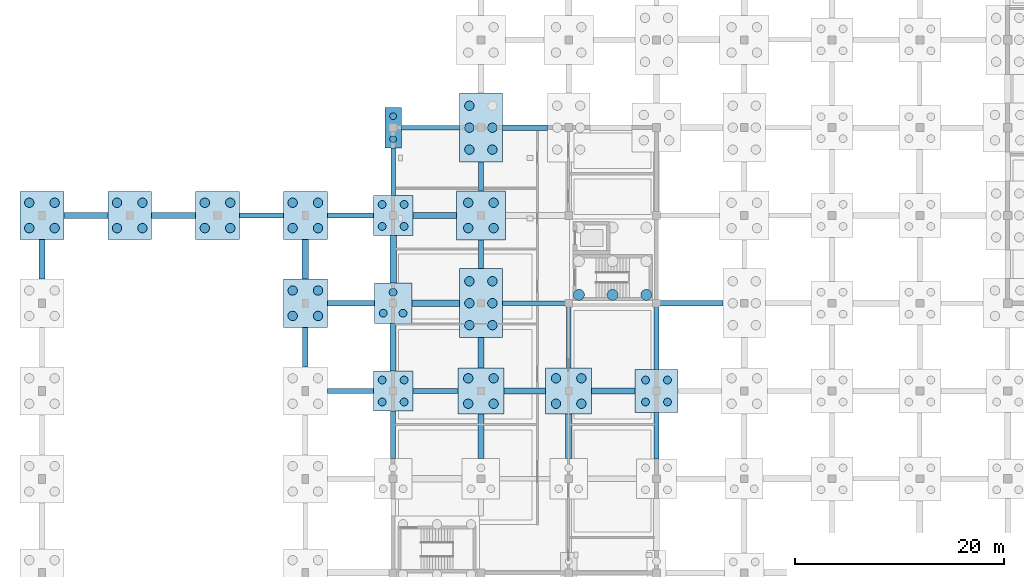
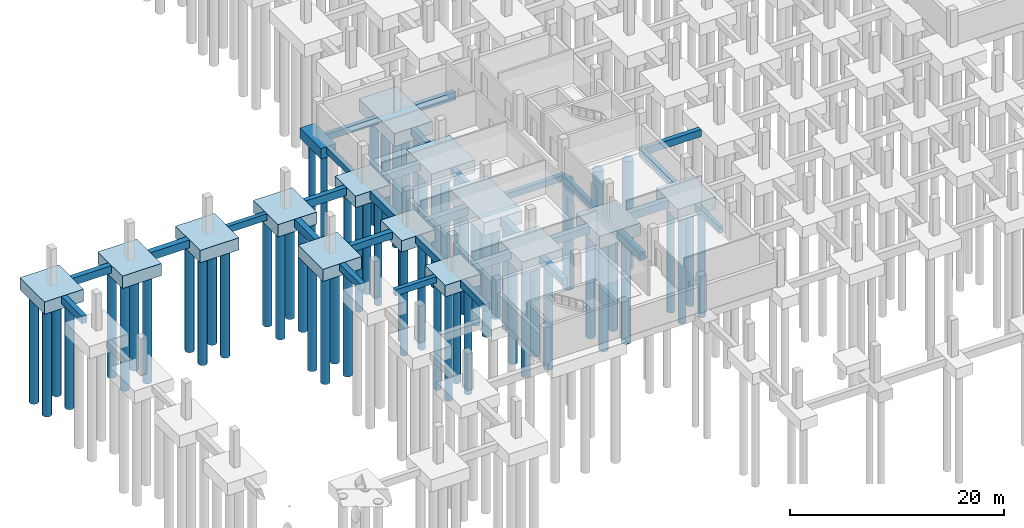
# One storey, part 2 of 20: 63 piles, 45 footings.
"""IFC4 building model written with IfcOpenShell, lengths in metres."""

from ifc_helpers import new_model, si_unit, direction, frame, origin, origin_2d, place, context, subcontext, project, spatial, rectangle, circle, extrude, material, material_profile, profile_set, type_object, element, save


model = new_model("IFC4")

# Units and contexts
model_context = context("Model", 3, precision=1e-05, world=origin(), true_north=direction((0.0, 1.0)))
body_context = subcontext(model_context, "Body", "Model", "MODEL_VIEW")
ifc_project = project(units=[si_unit("LENGTHUNIT", "METRE"), si_unit("AREAUNIT", "SQUARE_METRE"), si_unit("VOLUMEUNIT", "CUBIC_METRE"), si_unit("PLANEANGLEUNIT", "RADIAN"), si_unit("MASSUNIT", "GRAM", prefix="KILO")], contexts=[model_context])

# Site, building, storey
site_placement = place(None, origin())
site = spatial("IfcSite", under=ifc_project, at=site_placement, CompositionType="ELEMENT")
building_placement = place(site_placement, origin())
building = spatial("IfcBuilding", under=site, at=building_placement, Name="Vireocrest Preparatory School", CompositionType="ELEMENT")
storey_placement = place(building_placement, frame((0.0, 0.0, -4.199951171875)))
storey = spatial("IfcBuildingStorey", under=building, at=storey_placement, Name="B01", CompositionType="ELEMENT", Elevation=-4.199951171875)

# Piles
ifc_material = material(Name="Concrete 40 MPa", Category="concrete")
ifc_material_profile_1 = material_profile(ifc_material, circle(Radius=0.52490234375, at=origin_2d()), Name="BORED PILE 1050")
ifc_profile_set_1 = profile_set([ifc_material_profile_1], Name="Concrete 40 MPa")
pile_type_1 = type_object("IfcPileType", Name="Bored Concrete Pile 1050", PredefinedType="BORED", material=ifc_profile_set_1)
for number, where, z_axis, x_axis, name in (
    (1, (51.375, 44.60009765625, -1.400146484375), (0.0, 0.0, -1.0), (1.0, 0.0, 0.0), "Bored Pile P04 Core K1-1"),
    (2, (54.60009765625, 44.60009765625, -1.400146484375), (0.0, 0.0, -1.0), (1.0, 0.0, 0.0), "Bored Pile P04 Core K1-4"),
    (3, (57.824951171875, 44.60009765625, -1.400146484375), (0.0, 0.0, -1.0), (1.0, 0.0, 0.0), "Bored Pile P04 Core K1-7"),
):
    element("IfcPile", number, at=place(storey_placement, frame(where, z_axis=z_axis, x_axis=x_axis)), inside=storey, type_object=pile_type_1, Name=name, PredefinedType="BORED", context=body_context, shape_type="SweptSolid", body=[
        extrude(circle(Radius=0.52490234375, at=origin_2d()), origin(), (0.0, 0.0, 1.0), 12.39990234375),
    ])
ifc_material_profile_2 = material_profile(ifc_material, circle(Radius=0.324951171875, at=origin_2d()), Name="BORED PILE 650")
ifc_profile_set_2 = profile_set([ifc_material_profile_2], Name="Concrete 40 MPa")
pile_type_2 = type_object("IfcPileType", Name="Bored Concrete Pile 650", PredefinedType="BORED", material=ifc_profile_set_2)
for number, where, z_axis, x_axis, name in (
    (4, (33.60009765625, 59.5, -1.10009765625), (0.0, 0.0, -1.0), (1.0, 0.0, 0.0), "Bored Pile P01 021-1"),
    (5, (33.60009765625, 61.699951171875, -1.10009765625), (0.0, 0.0, -1.0), (1.0, 0.0, 0.0), "Bored Pile P01 021-2"),
):
    element("IfcPile", number, at=place(storey_placement, frame(where, z_axis=z_axis, x_axis=x_axis)), inside=storey, type_object=pile_type_2, Name=name, PredefinedType="BORED", context=body_context, shape_type="SweptSolid", body=[
        extrude(circle(Radius=0.324951171875, at=origin_2d()), origin(), (0.0, 0.0, 1.0), 12.699951171875),
    ])
ifc_material_profile_3 = material_profile(ifc_material, circle(Radius=0.375, at=origin_2d()), Name="BORED PILE 750")
ifc_profile_set_3 = profile_set([ifc_material_profile_3], Name="Concrete 40 MPa")
pile_type_3 = type_object("IfcPileType", Name="Bored Concrete Pile 750", PredefinedType="BORED", material=ifc_profile_set_3)
for number, where, z_axis, x_axis, name in (
    (6, (32.550048828125, 34.35009765625, -1.199951171875), (0.0, 0.0, -1.0), (1.0, 0.0, 0.0), "Bored Pile P02 018-1"),
    (7, (34.64990234375, 34.35009765625, -1.199951171875), (0.0, 0.0, -1.0), (1.0, 0.0, 0.0), "Bored Pile P02 018-2"),
    (8, (32.550048828125, 36.449951171875, -1.199951171875), (0.0, 0.0, -1.0), (1.0, 0.0, 0.0), "Bored Pile P02 018-3"),
    (9, (34.64990234375, 36.449951171875, -1.199951171875), (0.0, 0.0, -1.0), (1.0, 0.0, 0.0), "Bored Pile P02 018-4"),
    (10, (32.64990234375, 42.85009765625, -1.199951171875), (0.0, 0.0, -1.0), (1.0, 0.0, 0.0), "Bored Pile P02 019-1"),
    (11, (34.550048828125, 42.85009765625, -1.199951171875), (0.0, 0.0, -1.0), (1.0, 0.0, 0.0), "Bored Pile P02 019-2"),
    (12, (33.60009765625, 44.85009765625, -1.199951171875), (0.0, 0.0, -1.0), (1.0, 0.0, 0.0), "Bored Pile P02 019-3"),
    (13, (32.550048828125, 51.14990234375, -1.199951171875), (0.0, 0.0, -1.0), (1.0, 0.0, 0.0), "Bored Pile P02 020-1"),
    (14, (34.64990234375, 51.14990234375, -1.199951171875), (0.0, 0.0, -1.0), (1.0, 0.0, 0.0), "Bored Pile P02 020-2"),
    (15, (32.550048828125, 53.25, -1.199951171875), (0.0, 0.0, -1.0), (1.0, 0.0, 0.0), "Bored Pile P02 020-3"),
    (16, (34.64990234375, 53.25, -1.199951171875), (0.0, 0.0, -1.0), (1.0, 0.0, 0.0), "Bored Pile P02 020-4"),
):
    element("IfcPile", number, at=place(storey_placement, frame(where, z_axis=z_axis, x_axis=x_axis)), inside=storey, type_object=pile_type_3, Name=name, PredefinedType="BORED", context=body_context, shape_type="SweptSolid", body=[
        extrude(circle(Radius=0.375, at=origin_2d()), origin(), (0.0, 0.0, 1.0), 12.60009765625),
    ])
for number, where, z_axis, x_axis, name in (
    (17, (57.75, 34.35009765625, -1.25), (0.0, 0.0, -1.0), (1.0, 0.0, 0.0), "Bored Pile P02 051-1"),
    (18, (59.85009765625, 34.35009765625, -1.25), (0.0, 0.0, -1.0), (1.0, 0.0, 0.0), "Bored Pile P02 051-2"),
    (19, (57.75, 36.449951171875, -1.25), (0.0, 0.0, -1.0), (1.0, 0.0, 0.0), "Bored Pile P02 051-3"),
    (20, (59.85009765625, 36.449951171875, -1.25), (0.0, 0.0, -1.0), (1.0, 0.0, 0.0), "Bored Pile P02 051-4"),
):
    element("IfcPile", number, at=place(storey_placement, frame(where, z_axis=z_axis, x_axis=x_axis)), inside=storey, type_object=pile_type_3, Name=name, PredefinedType="BORED", context=body_context, shape_type="SweptSolid", body=[
        extrude(circle(Radius=0.375, at=origin_2d()), origin(), (0.0, 0.0, 1.0), 12.550048828125),
    ])
ifc_material_profile_4 = material_profile(ifc_material, circle(Radius=0.449951171875, at=origin_2d()), Name="BORED PILE 900")
ifc_profile_set_4 = profile_set([ifc_material_profile_4], Name="Concrete 40 MPa")
pile_type_4 = type_object("IfcPileType", Name="Bored Concrete Pile 900", PredefinedType="BORED", material=ifc_profile_set_4)
for number, where, z_axis, x_axis, name in (
    (21, (-1.215087890625, 50.985107421875, -1.300048828125), (0.0, 0.0, -1.0), (1.0, 0.0, 0.0), "Bored Pile P03 005-1"),
    (22, (1.215087890625, 50.985107421875, -1.300048828125), (0.0, 0.0, -1.0), (1.0, 0.0, 0.0), "Bored Pile P03 005-2"),
    (23, (-1.215087890625, 53.4150390625, -1.300048828125), (0.0, 0.0, -1.0), (1.0, 0.0, 0.0), "Bored Pile P03 005-3"),
    (24, (1.215087890625, 53.4150390625, -1.300048828125), (0.0, 0.0, -1.0), (1.0, 0.0, 0.0), "Bored Pile P03 005-4"),
    (25, (7.18505859375, 50.985107421875, -1.300048828125), (0.0, 0.0, -1.0), (1.0, 0.0, 0.0), "Bored Pile P03 007-1"),
    (26, (9.614990234375, 50.985107421875, -1.300048828125), (0.0, 0.0, -1.0), (1.0, 0.0, 0.0), "Bored Pile P03 007-2"),
    (27, (7.18505859375, 53.4150390625, -1.300048828125), (0.0, 0.0, -1.0), (1.0, 0.0, 0.0), "Bored Pile P03 007-3"),
    (28, (9.614990234375, 53.4150390625, -1.300048828125), (0.0, 0.0, -1.0), (1.0, 0.0, 0.0), "Bored Pile P03 007-4"),
    (29, (15.5849609375, 50.985107421875, -1.300048828125), (0.0, 0.0, -1.0), (1.0, 0.0, 0.0), "Bored Pile P03 009-1"),
    (30, (18.014892578125, 50.985107421875, -1.300048828125), (0.0, 0.0, -1.0), (1.0, 0.0, 0.0), "Bored Pile P03 009-2"),
    (31, (15.5849609375, 53.4150390625, -1.300048828125), (0.0, 0.0, -1.0), (1.0, 0.0, 0.0), "Bored Pile P03 009-3"),
    (32, (18.014892578125, 53.4150390625, -1.300048828125), (0.0, 0.0, -1.0), (1.0, 0.0, 0.0), "Bored Pile P03 009-4"),
    (33, (23.985107421875, 42.5849609375, -1.300048828125), (0.0, 0.0, -1.0), (1.0, 0.0, 0.0), "Bored Pile P03 014-1"),
    (34, (26.4150390625, 42.5849609375, -1.300048828125), (0.0, 0.0, -1.0), (1.0, 0.0, 0.0), "Bored Pile P03 014-2"),
    (35, (23.985107421875, 45.014892578125, -1.300048828125), (0.0, 0.0, -1.0), (1.0, 0.0, 0.0), "Bored Pile P03 014-3"),
    (36, (26.4150390625, 45.014892578125, -1.300048828125), (0.0, 0.0, -1.0), (1.0, 0.0, 0.0), "Bored Pile P03 014-4"),
    (37, (23.985107421875, 50.985107421875, -1.300048828125), (0.0, 0.0, -1.0), (1.0, 0.0, 0.0), "Bored Pile P03 015-1"),
    (38, (26.4150390625, 50.985107421875, -1.300048828125), (0.0, 0.0, -1.0), (1.0, 0.0, 0.0), "Bored Pile P03 015-2"),
    (39, (23.985107421875, 53.4150390625, -1.300048828125), (0.0, 0.0, -1.0), (1.0, 0.0, 0.0), "Bored Pile P03 015-3"),
    (40, (26.4150390625, 53.4150390625, -1.300048828125), (0.0, 0.0, -1.0), (1.0, 0.0, 0.0), "Bored Pile P03 015-4"),
    (41, (40.784912109375, 34.18505859375, -1.300048828125), (0.0, 0.0, -1.0), (1.0, 0.0, 0.0), "Bored Pile P03 024-1"),
    (42, (43.215087890625, 34.18505859375, -1.300048828125), (0.0, 0.0, -1.0), (1.0, 0.0, 0.0), "Bored Pile P03 024-2"),
    (43, (40.784912109375, 36.614990234375, -1.300048828125), (0.0, 0.0, -1.0), (1.0, 0.0, 0.0), "Bored Pile P03 024-3"),
    (44, (43.215087890625, 36.614990234375, -1.300048828125), (0.0, 0.0, -1.0), (1.0, 0.0, 0.0), "Bored Pile P03 024-4"),
):
    element("IfcPile", number, at=place(storey_placement, frame(where, z_axis=z_axis, x_axis=x_axis)), inside=storey, type_object=pile_type_4, Name=name, PredefinedType="BORED", context=body_context, shape_type="SweptSolid", body=[
        extrude(circle(Radius=0.449951171875, at=origin_2d()), origin(), (0.0, 0.0, 1.0), 12.5),
    ])
for number, where, z_axis, x_axis, name in (
    (45, (40.89990234375, 41.699951171875, -1.35009765625), (0.0, 0.0, -1.0), (1.0, 0.0, 0.0), "Bored Pile P03 025-1"),
    (46, (43.10009765625, 41.699951171875, -1.35009765625), (0.0, 0.0, -1.0), (1.0, 0.0, 0.0), "Bored Pile P03 025-2"),
    (47, (40.89990234375, 43.800048828125, -1.35009765625), (0.0, 0.0, -1.0), (1.0, 0.0, 0.0), "Bored Pile P03 025-3"),
    (48, (43.10009765625, 43.800048828125, -1.35009765625), (0.0, 0.0, -1.0), (1.0, 0.0, 0.0), "Bored Pile P03 025-4"),
    (49, (40.89990234375, 45.89990234375, -1.35009765625), (0.0, 0.0, -1.0), (1.0, 0.0, 0.0), "Bored Pile P03 025-5"),
    (50, (43.10009765625, 45.89990234375, -1.35009765625), (0.0, 0.0, -1.0), (1.0, 0.0, 0.0), "Bored Pile P03 025-6"),
    (51, (40.784912109375, 50.985107421875, -1.35009765625), (0.0, 0.0, -1.0), (1.0, 0.0, 0.0), "Bored Pile P03 026-1"),
    (52, (43.215087890625, 50.985107421875, -1.35009765625), (0.0, 0.0, -1.0), (1.0, 0.0, 0.0), "Bored Pile P03 026-2"),
    (53, (40.784912109375, 53.4150390625, -1.35009765625), (0.0, 0.0, -1.0), (1.0, 0.0, 0.0), "Bored Pile P03 026-3"),
    (54, (43.215087890625, 53.4150390625, -1.35009765625), (0.0, 0.0, -1.0), (1.0, 0.0, 0.0), "Bored Pile P03 026-4"),
    (55, (40.89990234375, 58.5, -1.35009765625), (0.0, 0.0, -1.0), (1.0, 0.0, 0.0), "Bored Pile P03 027-1"),
    (56, (43.10009765625, 58.5, -1.35009765625), (0.0, 0.0, -1.0), (1.0, 0.0, 0.0), "Bored Pile P03 027-2"),
    (57, (40.89990234375, 60.60009765625, -1.35009765625), (0.0, 0.0, -1.0), (1.0, 0.0, 0.0), "Bored Pile P03 027-3"),
    (58, (43.10009765625, 60.60009765625, -1.35009765625), (0.0, 0.0, -1.0), (1.0, 0.0, 0.0), "Bored Pile P03 027-4"),
    (59, (40.89990234375, 62.699951171875, -1.35009765625), (0.0, 0.0, -1.0), (1.0, 0.0, 0.0), "Bored Pile P03 027-5"),
):
    element("IfcPile", number, at=place(storey_placement, frame(where, z_axis=z_axis, x_axis=x_axis)), inside=storey, type_object=pile_type_4, Name=name, PredefinedType="BORED", context=body_context, shape_type="SweptSolid", body=[
        extrude(circle(Radius=0.449951171875, at=origin_2d()), origin(), (0.0, 0.0, 1.0), 12.449951171875),
    ])
for number, where, z_axis, x_axis, name in (
    (60, (49.18505859375, 34.18505859375, -1.300048828125), (0.0, 0.0, -1.0), (1.0, 0.0, 0.0), "Bored Pile P03 038-1"),
    (61, (51.614990234375, 34.18505859375, -1.300048828125), (0.0, 0.0, -1.0), (1.0, 0.0, 0.0), "Bored Pile P03 038-2"),
    (62, (49.18505859375, 36.614990234375, -1.300048828125), (0.0, 0.0, -1.0), (1.0, 0.0, 0.0), "Bored Pile P03 038-3"),
    (63, (51.614990234375, 36.614990234375, -1.300048828125), (0.0, 0.0, -1.0), (1.0, 0.0, 0.0), "Bored Pile P03 038-4"),
):
    element("IfcPile", number, at=place(storey_placement, frame(where, z_axis=z_axis, x_axis=x_axis)), inside=storey, type_object=pile_type_4, Name=name, PredefinedType="BORED", context=body_context, shape_type="SweptSolid", body=[
        extrude(circle(Radius=0.449951171875, at=origin_2d()), origin(), (0.0, 0.0, 1.0), 12.5),
    ])

# Footings
footing_type_1 = type_object("IfcFootingType", Name="Four-Pile Cap 3800x3800x1300", PredefinedType="PILE_CAP", material=ifc_material)
for number, where, z_axis, x_axis, name in (
    (64, (33.60009765625, 35.39990234375, -1.30029296875), (0.0, 0.0, 1.0), (1.0, 0.0, 0.0), "Pile Cap PC05 at (33.6, 35.4)"),
    (65, (33.60009765625, 52.199951171875, -1.30029296875), (0.0, 0.0, 1.0), (1.0, 0.0, 0.0), "Pile Cap PC05 at (33.6, 52.2)"),
):
    element("IfcFooting", number, at=place(storey_placement, frame(where, z_axis=z_axis, x_axis=x_axis)), inside=storey, type_object=footing_type_1, Name=name, PredefinedType="PILE_CAP", context=body_context, shape_type="SweptSolid", body=[
        extrude(rectangle(XDim=3.800048828125, YDim=3.800048828125, at=origin_2d()), origin(), (0.0, 0.0, 1.0), 1.300048828125),
    ])
footing_type_2 = type_object("IfcFootingType", Name="Four-Pile Cap 4100x4100x1350", PredefinedType="PILE_CAP", material=ifc_material)
footing_1_placement = place(storey_placement, frame((58.800048828125, 35.39990234375, -1.35009765625), z_axis=(0.0, 0.0, 1.0), x_axis=(1.0, 0.0, 0.0)))
element("IfcFooting", 66, at=footing_1_placement, inside=storey, type_object=footing_type_2, Name="Pile Cap PC06 at (58.8, 35.4)", PredefinedType="PILE_CAP", context=body_context, shape_type="SweptSolid", body=[
    extrude(rectangle(XDim=4.10009765625, YDim=4.10009765625, at=origin_2d()), origin(), (0.0, 0.0, 1.0), 1.35009765625),
])
footing_type_3 = type_object("IfcFootingType", Name="Four-Pile Cap 4400x4400x1400", PredefinedType="PILE_CAP", material=ifc_material)
for number, where, z_axis, x_axis, name in (
    (67, (42.0, 35.39990234375, -1.39990234375), (0.0, 0.0, 1.0), (1.0, 0.0, 0.0), "Pile Cap PC07 at (42.0, 35.4)"),
    (68, (50.39990234375, 35.39990234375, -1.39990234375), (0.0, 0.0, 1.0), (1.0, 0.0, 0.0), "Pile Cap PC07 at (50.4, 35.4)"),
):
    element("IfcFooting", number, at=place(storey_placement, frame(where, z_axis=z_axis, x_axis=x_axis)), inside=storey, type_object=footing_type_3, Name=name, PredefinedType="PILE_CAP", context=body_context, shape_type="SweptSolid", body=[
        extrude(rectangle(XDim=4.39990234375, YDim=4.39990234375, at=origin_2d()), origin(), (0.0, 0.0, 1.0), 1.39990234375),
    ])
footing_type_4 = type_object("IfcFootingType", Name="Four-Pile Cap 4700x4700x1450", PredefinedType="PILE_CAP", material=ifc_material)
footing_2_placement = place(storey_placement, frame((42.0, 52.199951171875, -1.4501953125), z_axis=(0.0, 0.0, 1.0), x_axis=(1.0, 0.0, 0.0)))
element("IfcFooting", 69, at=footing_2_placement, inside=storey, type_object=footing_type_4, Name="Pile Cap PC08 at (42.0, 52.2)", PredefinedType="PILE_CAP", context=body_context, shape_type="SweptSolid", body=[
    extrude(rectangle(XDim=4.699951171875, YDim=4.699951171875, at=origin_2d()), origin(), (0.0, 0.0, 1.0), 1.449951171875),
])
footing_type_5 = type_object("IfcFootingType", Name="Four-Pile Vault Pier Cap 4200x4600x1400", PredefinedType="PILE_CAP", material=ifc_material)
for number, where, z_axis, x_axis, name in (
    (70, (0.0, 52.199951171875, -1.39990234375), (0.0, 0.0, 1.0), (1.0, 0.0, 0.0), "Pile Cap PC10 at (0.0, 52.2)"),
    (71, (8.39990234375, 52.199951171875, -1.39990234375), (0.0, 0.0, 1.0), (1.0, 0.0, 0.0), "Pile Cap PC10 at (8.4, 52.2)"),
    (72, (16.800048828125, 52.199951171875, -1.39990234375), (0.0, 0.0, 1.0), (1.0, 0.0, 0.0), "Pile Cap PC10 at (16.8, 52.2)"),
    (73, (25.199951171875, 43.800048828125, -1.39990234375), (0.0, 0.0, 1.0), (1.0, 0.0, 0.0), "Pile Cap PC10 at (25.2, 43.8)"),
    (74, (25.199951171875, 52.199951171875, -1.39990234375), (0.0, 0.0, 1.0), (1.0, 0.0, 0.0), "Pile Cap PC10 at (25.2, 52.2)"),
):
    element("IfcFooting", number, at=place(storey_placement, frame(where, z_axis=z_axis, x_axis=x_axis)), inside=storey, type_object=footing_type_5, Name=name, PredefinedType="PILE_CAP", context=body_context, shape_type="SweptSolid", body=[
        extrude(rectangle(XDim=4.199951171875, YDim=4.60009765625, at=origin_2d()), origin(), (0.0, 0.0, 1.0), 1.39990234375),
    ])
ifc_material_profile_5 = material_profile(ifc_material, rectangle(XDim=0.550048828125, YDim=0.800048828125, at=origin_2d()), Name="GB 550x800")
ifc_profile_set_5 = profile_set([ifc_material_profile_5], Name="Concrete 40 MPa")
footing_type_6 = type_object("IfcFootingType", Name="RC Court Tie Beam 550x800", PredefinedType="FOOTING_BEAM", material=ifc_profile_set_5)
footing_3_placement = place(storey_placement, frame((27.300048828125, 43.800048828125, -0.400146484375), z_axis=(1.0, 0.0, 0.0), x_axis=(0.0, 1.0, 0.0)))
element("IfcFooting", 75, at=footing_3_placement, inside=storey, type_object=footing_type_6, Name="Foundation Grade Beam GB06-054", PredefinedType="FOOTING_BEAM", context=body_context, shape_type="SweptSolid", body=[
    extrude(rectangle(XDim=0.550048828125, YDim=0.800048828125, at=origin_2d()), origin(), (0.0, 0.0, 1.0), 4.5),
])
footing_4_placement = place(storey_placement, frame((35.5, 52.199951171875, -0.400146484375), z_axis=(1.0, 0.0, 0.0), x_axis=(0.0, 1.0, 0.0)))
element("IfcFooting", 76, at=footing_4_placement, inside=storey, type_object=footing_type_6, Name="Foundation Grade Beam GB06-070", PredefinedType="FOOTING_BEAM", context=body_context, shape_type="SweptSolid", body=[
    extrude(rectangle(XDim=0.550048828125, YDim=0.800048828125, at=origin_2d()), origin(), (0.0, 0.0, 1.0), 4.14990234375),
])
footing_5_placement = place(storey_placement, frame((25.199951171875, 37.699951171875, -0.400146484375), z_axis=(0.0, 1.0, 0.0), x_axis=(-1.0, 0.0, 0.0)))
element("IfcFooting", 77, at=footing_5_placement, inside=storey, type_object=footing_type_6, Name="Foundation Grade Beam GB06-150", PredefinedType="FOOTING_BEAM", context=body_context, shape_type="SweptSolid", body=[
    extrude(rectangle(XDim=0.550048828125, YDim=0.800048828125, at=origin_2d()), origin(), (0.0, 0.0, 1.0), 3.800048828125),
])
footing_6_placement = place(storey_placement, frame((42.0, 28.949951171875, -0.400146484375), z_axis=(0.0, 1.0, 0.0), x_axis=(-1.0, 0.0, 0.0)))
element("IfcFooting", 78, at=footing_6_placement, inside=storey, type_object=footing_type_6, Name="Foundation Grade Beam GB06-158", PredefinedType="FOOTING_BEAM", context=body_context, shape_type="SweptSolid", body=[
    extrude(rectangle(XDim=0.550048828125, YDim=0.800048828125, at=origin_2d()), origin(), (0.0, 0.0, 1.0), 4.25),
])
ifc_material_profile_6 = material_profile(ifc_material, rectangle(XDim=0.5, YDim=0.800048828125, at=origin_2d()), Name="GB 500x800")
ifc_profile_set_6 = profile_set([ifc_material_profile_6], Name="Concrete 40 MPa")
footing_type_7 = type_object("IfcFootingType", Name="RC Foundation Grade Beam 500x800", PredefinedType="FOOTING_BEAM", material=ifc_profile_set_6)
footing_7_placement = place(storey_placement, frame((35.5, 35.39990234375, -0.400146484375), z_axis=(1.0, 0.0, 0.0), x_axis=(0.0, 1.0, 0.0)))
element("IfcFooting", 79, at=footing_7_placement, inside=storey, type_object=footing_type_7, Name="Foundation Grade Beam GB01-041", PredefinedType="FOOTING_BEAM", context=body_context, shape_type="SweptSolid", body=[
    extrude(rectangle(XDim=0.5, YDim=0.800048828125, at=origin_2d()), origin(), (0.0, 0.0, 1.0), 4.300048828125),
])
footing_8_placement = place(storey_placement, frame((58.699951171875, 43.800048828125, -0.400146484375), z_axis=(1.0, 0.0, 0.0), x_axis=(0.0, 1.0, 0.0)))
element("IfcFooting", 80, at=footing_8_placement, inside=storey, type_object=footing_type_7, Name="Foundation Grade Beam GB01-057", PredefinedType="FOOTING_BEAM", context=body_context, shape_type="SweptSolid", body=[
    extrude(rectangle(XDim=0.5, YDim=0.800048828125, at=origin_2d()), origin(), (0.0, 0.0, 1.0), 6.449951171875),
])
footing_9_placement = place(storey_placement, frame((33.60009765625, 28.949951171875, -0.400146484375), z_axis=(0.0, 1.0, 0.0), x_axis=(-1.0, 0.0, 0.0)))
element("IfcFooting", 81, at=footing_9_placement, inside=storey, type_object=footing_type_7, Name="Foundation Grade Beam GB01-153", PredefinedType="FOOTING_BEAM", context=body_context, shape_type="SweptSolid", body=[
    extrude(rectangle(XDim=0.5, YDim=0.800048828125, at=origin_2d()), origin(), (0.0, 0.0, 1.0), 4.550048828125),
])
footing_10_placement = place(storey_placement, frame((42.0, 54.550048828125, -0.400146484375), z_axis=(0.0, 1.0, 0.0), x_axis=(-1.0, 0.0, 0.0)))
element("IfcFooting", 82, at=footing_10_placement, inside=storey, type_object=footing_type_7, Name="Foundation Grade Beam GB01-161", PredefinedType="FOOTING_BEAM", context=body_context, shape_type="SweptSolid", body=[
    extrude(rectangle(XDim=0.5, YDim=0.800048828125, at=origin_2d()), origin(), (0.0, 0.0, 1.0), 2.75),
])
ifc_material_profile_7 = material_profile(ifc_material, rectangle(XDim=0.550048828125, YDim=0.85009765625, at=origin_2d()), Name="GB 550x850")
ifc_profile_set_7 = profile_set([ifc_material_profile_7], Name="Concrete 40 MPa")
footing_type_8 = type_object("IfcFootingType", Name="RC Foundation Grade Beam 550x850", PredefinedType="FOOTING_BEAM", material=ifc_profile_set_7)
footing_11_placement = place(storey_placement, frame((44.199951171875, 35.39990234375, -0.425048828125), z_axis=(1.0, 0.0, 0.0), x_axis=(0.0, 1.0, 0.0)))
element("IfcFooting", 83, at=footing_11_placement, inside=storey, type_object=footing_type_8, Name="Foundation Grade Beam GB02-042", PredefinedType="FOOTING_BEAM", context=body_context, shape_type="SweptSolid", body=[
    extrude(rectangle(XDim=0.550048828125, YDim=0.85009765625, at=origin_2d()), origin(), (0.0, 0.0, 1.0), 4.0),
])
footing_12_placement = place(storey_placement, frame((2.10009765625, 52.199951171875, -0.425048828125), z_axis=(1.0, 0.0, 0.0), x_axis=(0.0, 1.0, 0.0)))
element("IfcFooting", 84, at=footing_12_placement, inside=storey, type_object=footing_type_8, Name="Foundation Grade Beam GB02-066", PredefinedType="FOOTING_BEAM", context=body_context, shape_type="SweptSolid", body=[
    extrude(rectangle(XDim=0.550048828125, YDim=0.85009765625, at=origin_2d()), origin(), (0.0, 0.0, 1.0), 4.199951171875),
])
footing_13_placement = place(storey_placement, frame((0.0, 46.10009765625, -0.425048828125), z_axis=(0.0, 1.0, 0.0), x_axis=(-1.0, 0.0, 0.0)))
element("IfcFooting", 85, at=footing_13_placement, inside=storey, type_object=footing_type_8, Name="Foundation Grade Beam GB02-146", PredefinedType="FOOTING_BEAM", context=body_context, shape_type="SweptSolid", body=[
    extrude(rectangle(XDim=0.550048828125, YDim=0.85009765625, at=origin_2d()), origin(), (0.0, 0.0, 1.0), 3.7998046875),
])
footing_14_placement = place(storey_placement, frame((33.60009765625, 37.300048828125, -0.425048828125), z_axis=(0.0, 1.0, 0.0), x_axis=(-1.0, 0.0, 0.0)))
element("IfcFooting", 86, at=footing_14_placement, inside=storey, type_object=footing_type_8, Name="Foundation Grade Beam GB02-154", PredefinedType="FOOTING_BEAM", context=body_context, shape_type="SweptSolid", body=[
    extrude(rectangle(XDim=0.550048828125, YDim=0.85009765625, at=origin_2d()), origin(), (0.0, 0.0, 1.0), 4.550048828125),
])
ifc_material_profile_8 = material_profile(ifc_material, rectangle(XDim=0.60009765625, YDim=0.89990234375, at=origin_2d()), Name="GB 600x900")
ifc_profile_set_8 = profile_set([ifc_material_profile_8], Name="Concrete 40 MPa")
footing_type_9 = type_object("IfcFootingType", Name="RC Foundation Grade Beam 600x900", PredefinedType="FOOTING_BEAM", material=ifc_profile_set_8)
footing_15_placement = place(storey_placement, frame((52.60009765625, 35.39990234375, -0.449951171875), z_axis=(1.0, 0.0, 0.0), x_axis=(0.0, 1.0, 0.0)))
element("IfcFooting", 87, at=footing_15_placement, inside=storey, type_object=footing_type_9, Name="Foundation Grade Beam GB03-043", PredefinedType="FOOTING_BEAM", context=body_context, shape_type="SweptSolid", body=[
    extrude(rectangle(XDim=0.60009765625, YDim=0.89990234375, at=origin_2d()), origin(), (0.0, 0.0, 1.0), 4.14990234375),
])
footing_16_placement = place(storey_placement, frame((10.5, 52.199951171875, -0.449951171875), z_axis=(1.0, 0.0, 0.0), x_axis=(0.0, 1.0, 0.0)))
element("IfcFooting", 88, at=footing_16_placement, inside=storey, type_object=footing_type_9, Name="Foundation Grade Beam GB03-067", PredefinedType="FOOTING_BEAM", context=body_context, shape_type="SweptSolid", body=[
    extrude(rectangle(XDim=0.60009765625, YDim=0.89990234375, at=origin_2d()), origin(), (0.0, 0.0, 1.0), 4.199951171875),
])
footing_17_placement = place(storey_placement, frame((33.60009765625, 45.75, -0.449951171875), z_axis=(0.0, 1.0, 0.0), x_axis=(-1.0, 0.0, 0.0)))
element("IfcFooting", 89, at=footing_17_placement, inside=storey, type_object=footing_type_9, Name="Foundation Grade Beam GB03-155", PredefinedType="FOOTING_BEAM", context=body_context, shape_type="SweptSolid", body=[
    extrude(rectangle(XDim=0.60009765625, YDim=0.89990234375, at=origin_2d()), origin(), (0.0, 0.0, 1.0), 4.550048828125),
])
footing_18_placement = place(storey_placement, frame((50.39990234375, 28.949951171875, -0.449951171875), z_axis=(0.0, 1.0, 0.0), x_axis=(-1.0, 0.0, 0.0)))
element("IfcFooting", 90, at=footing_18_placement, inside=storey, type_object=footing_type_9, Name="Foundation Grade Beam GB03-171", PredefinedType="FOOTING_BEAM", context=body_context, shape_type="SweptSolid", body=[
    extrude(rectangle(XDim=0.60009765625, YDim=0.89990234375, at=origin_2d()), origin(), (0.0, 0.0, 1.0), 4.25),
])
ifc_material_profile_9 = material_profile(ifc_material, rectangle(XDim=0.449951171875, YDim=0.75, at=origin_2d()), Name="GB 450x750")
ifc_profile_set_9 = profile_set([ifc_material_profile_9], Name="Concrete 40 MPa")
footing_type_10 = type_object("IfcFootingType", Name="RC Foundation Tie Beam 450x750", PredefinedType="FOOTING_BEAM", material=ifc_profile_set_9)
footing_19_placement = place(storey_placement, frame((18.89990234375, 52.199951171875, -0.375), z_axis=(1.0, 0.0, 0.0), x_axis=(0.0, 1.0, 0.0)))
element("IfcFooting", 91, at=footing_19_placement, inside=storey, type_object=footing_type_10, Name="Foundation Grade Beam GB04-068", PredefinedType="FOOTING_BEAM", context=body_context, shape_type="SweptSolid", body=[
    extrude(rectangle(XDim=0.449951171875, YDim=0.75, at=origin_2d()), origin(), (0.0, 0.0, 1.0), 4.2001953125),
])
footing_20_placement = place(storey_placement, frame((34.39990234375, 60.60009765625, -0.375), z_axis=(1.0, 0.0, 0.0), x_axis=(0.0, 1.0, 0.0)))
element("IfcFooting", 92, at=footing_20_placement, inside=storey, type_object=footing_type_10, Name="Foundation Grade Beam GB04-084", PredefinedType="FOOTING_BEAM", context=body_context, shape_type="SweptSolid", body=[
    extrude(rectangle(XDim=0.449951171875, YDim=0.75, at=origin_2d()), origin(), (0.0, 0.0, 1.0), 5.550048828125),
])
footing_21_placement = place(storey_placement, frame((33.60009765625, 54.10009765625, -0.375), z_axis=(0.0, 1.0, 0.0), x_axis=(-1.0, 0.0, 0.0)))
element("IfcFooting", 93, at=footing_21_placement, inside=storey, type_object=footing_type_10, Name="Foundation Grade Beam GB04-156", PredefinedType="FOOTING_BEAM", context=body_context, shape_type="SweptSolid", body=[
    extrude(rectangle(XDim=0.449951171875, YDim=0.75, at=origin_2d()), origin(), (0.0, 0.0, 1.0), 4.5498046875),
])
footing_22_placement = place(storey_placement, frame((50.39990234375, 37.60009765625, -0.375), z_axis=(0.0, 1.0, 0.0), x_axis=(-1.0, 0.0, 0.0)))
element("IfcFooting", 94, at=footing_22_placement, inside=storey, type_object=footing_type_10, Name="Foundation Grade Beam GB04-172", PredefinedType="FOOTING_BEAM", context=body_context, shape_type="SweptSolid", body=[
    extrude(rectangle(XDim=0.449951171875, YDim=0.75, at=origin_2d()), origin(), (0.0, 0.0, 1.0), 6.125),
])
footing_23_placement = place(storey_placement, frame((58.800048828125, 28.89990234375, -0.375), z_axis=(0.0, 1.0, 0.0), x_axis=(-1.0, 0.0, 0.0)))
element("IfcFooting", 95, at=footing_23_placement, inside=storey, type_object=footing_type_10, Name="Foundation Grade Beam GB04-180", PredefinedType="FOOTING_BEAM", context=body_context, shape_type="SweptSolid", body=[
    extrude(rectangle(XDim=0.449951171875, YDim=0.75, at=origin_2d()), origin(), (0.0, 0.0, 1.0), 4.4501953125),
])
ifc_material_profile_10 = material_profile(ifc_material, rectangle(XDim=0.449951171875, YDim=0.699951171875, at=origin_2d()), Name="GB 450x700")
ifc_profile_set_10 = profile_set([ifc_material_profile_10], Name="Concrete 40 MPa")
footing_type_11 = type_object("IfcFootingType", Name="RC Pavilion Tie Beam 450x700", PredefinedType="FOOTING_BEAM", material=ifc_profile_set_10)
footing_24_placement = place(storey_placement, frame((27.300048828125, 35.39990234375, -0.35009765625), z_axis=(1.0, 0.0, 0.0), x_axis=(0.0, 1.0, 0.0)))
element("IfcFooting", 96, at=footing_24_placement, inside=storey, type_object=footing_type_11, Name="Foundation Grade Beam GB08-040", PredefinedType="FOOTING_BEAM", context=body_context, shape_type="SweptSolid", body=[
    extrude(rectangle(XDim=0.449951171875, YDim=0.699951171875, at=origin_2d()), origin(), (0.0, 0.0, 1.0), 4.39990234375),
])
footing_25_placement = place(storey_placement, frame((44.050048828125, 43.800048828125, -0.35009765625), z_axis=(1.0, 0.0, 0.0), x_axis=(0.0, 1.0, 0.0)))
element("IfcFooting", 97, at=footing_25_placement, inside=storey, type_object=footing_type_11, Name="Foundation Grade Beam GB08-056", PredefinedType="FOOTING_BEAM", context=body_context, shape_type="SweptSolid", body=[
    extrude(rectangle(XDim=0.449951171875, YDim=0.699951171875, at=origin_2d()), origin(), (0.0, 0.0, 1.0), 6.449951171875),
])
footing_26_placement = place(storey_placement, frame((42.0, 47.10009765625, -0.35009765625), z_axis=(0.0, 1.0, 0.0), x_axis=(-1.0, 0.0, 0.0)))
element("IfcFooting", 98, at=footing_26_placement, inside=storey, type_object=footing_type_11, Name="Foundation Grade Beam GB08-160", PredefinedType="FOOTING_BEAM", context=body_context, shape_type="SweptSolid", body=[
    extrude(rectangle(XDim=0.449951171875, YDim=0.699951171875, at=origin_2d()), origin(), (0.0, 0.0, 1.0), 2.75),
])
ifc_material_profile_11 = material_profile(ifc_material, rectangle(XDim=0.5, YDim=0.89990234375, at=origin_2d()), Name="GB 500x900")
ifc_profile_set_11 = profile_set([ifc_material_profile_11], Name="Concrete 40 MPa")
footing_type_12 = type_object("IfcFootingType", Name="RC Perimeter Grade Beam 500x900", PredefinedType="FOOTING_BEAM", material=ifc_profile_set_11)
footing_27_placement = place(storey_placement, frame((27.300048828125, 52.199951171875, -0.449951171875), z_axis=(1.0, 0.0, 0.0), x_axis=(0.0, 1.0, 0.0)))
element("IfcFooting", 99, at=footing_27_placement, inside=storey, type_object=footing_type_12, Name="Foundation Grade Beam GB05-069", PredefinedType="FOOTING_BEAM", context=body_context, shape_type="SweptSolid", body=[
    extrude(rectangle(XDim=0.5, YDim=0.89990234375, at=origin_2d()), origin(), (0.0, 0.0, 1.0), 4.39990234375),
])
footing_28_placement = place(storey_placement, frame((44.050048828125, 60.60009765625, -0.449951171875), z_axis=(1.0, 0.0, 0.0), x_axis=(0.0, 1.0, 0.0)))
element("IfcFooting", 100, at=footing_28_placement, inside=storey, type_object=footing_type_12, Name="Foundation Grade Beam GB05-085", PredefinedType="FOOTING_BEAM", context=body_context, shape_type="SweptSolid", body=[
    extrude(rectangle(XDim=0.5, YDim=0.89990234375, at=origin_2d()), origin(), (0.0, 0.0, 1.0), 4.300048828125),
])
footing_29_placement = place(storey_placement, frame((58.800048828125, 37.449951171875, -0.449951171875), z_axis=(0.0, 1.0, 0.0), x_axis=(-1.0, 0.0, 0.0)))
element("IfcFooting", 101, at=footing_29_placement, inside=storey, type_object=footing_type_12, Name="Foundation Grade Beam GB05-181", PredefinedType="FOOTING_BEAM", context=body_context, shape_type="SweptSolid", body=[
    extrude(rectangle(XDim=0.5, YDim=0.89990234375, at=origin_2d()), origin(), (0.0, 0.0, 1.0), 6.275146484375),
])
ifc_material_profile_12 = material_profile(ifc_material, rectangle(XDim=0.60009765625, YDim=0.949951171875, at=origin_2d()), Name="GB 600x950")
ifc_profile_set_12 = profile_set([ifc_material_profile_12], Name="Concrete 40 MPa")
footing_type_13 = type_object("IfcFootingType", Name="RC Vault Tie Grade Beam 600x950", PredefinedType="FOOTING_BEAM", material=ifc_profile_set_12)
footing_30_placement = place(storey_placement, frame((35.39990234375, 43.800048828125, -0.47509765625), z_axis=(1.0, 0.0, 0.0), x_axis=(0.0, 1.0, 0.0)))
element("IfcFooting", 102, at=footing_30_placement, inside=storey, type_object=footing_type_13, Name="Foundation Grade Beam GB07-055", PredefinedType="FOOTING_BEAM", context=body_context, shape_type="SweptSolid", body=[
    extrude(rectangle(XDim=0.60009765625, YDim=0.949951171875, at=origin_2d()), origin(), (0.0, 0.0, 1.0), 4.550048828125),
])
footing_31_placement = place(storey_placement, frame((25.199951171875, 46.10009765625, -0.47509765625), z_axis=(0.0, 1.0, 0.0), x_axis=(-1.0, 0.0, 0.0)))
element("IfcFooting", 103, at=footing_31_placement, inside=storey, type_object=footing_type_13, Name="Foundation Grade Beam GB07-151", PredefinedType="FOOTING_BEAM", context=body_context, shape_type="SweptSolid", body=[
    extrude(rectangle(XDim=0.60009765625, YDim=0.949951171875, at=origin_2d()), origin(), (0.0, 0.0, 1.0), 3.7998046875),
])
footing_32_placement = place(storey_placement, frame((42.0, 37.60009765625, -0.47509765625), z_axis=(0.0, 1.0, 0.0), x_axis=(-1.0, 0.0, 0.0)))
element("IfcFooting", 104, at=footing_32_placement, inside=storey, type_object=footing_type_13, Name="Foundation Grade Beam GB07-159", PredefinedType="FOOTING_BEAM", context=body_context, shape_type="SweptSolid", body=[
    extrude(rectangle(XDim=0.60009765625, YDim=0.949951171875, at=origin_2d()), origin(), (0.0, 0.0, 1.0), 2.89990234375),
])
footing_type_14 = type_object("IfcFootingType", Name="Six-Pile Rectangular Cap 4100x6600x1450", PredefinedType="PILE_CAP", material=ifc_material)
for number, where, z_axis, x_axis, name in (
    (105, (42.0, 43.800048828125, -1.4501953125), (0.0, 0.0, 1.0), (1.0, 0.0, 0.0), "Pile Cap PC11 at (42.0, 43.8)"),
    (106, (42.0, 60.60009765625, -1.4501953125), (0.0, 0.0, 1.0), (1.0, 0.0, 0.0), "Pile Cap PC11 at (42.0, 60.6)"),
):
    element("IfcFooting", number, at=place(storey_placement, frame(where, z_axis=z_axis, x_axis=x_axis)), inside=storey, type_object=footing_type_14, Name=name, PredefinedType="PILE_CAP", context=body_context, shape_type="SweptSolid", body=[
        extrude(rectangle(XDim=4.10009765625, YDim=6.60009765625, at=origin_2d()), origin(), (0.0, 0.0, 1.0), 1.449951171875),
    ])
footing_type_15 = type_object("IfcFootingType", Name="Three-Pile Cap 3600x3900x1300", PredefinedType="PILE_CAP", material=ifc_material)
footing_33_placement = place(storey_placement, frame((33.60009765625, 43.800048828125, -1.30029296875), z_axis=(0.0, 0.0, 1.0), x_axis=(1.0, 0.0, 0.0)))
element("IfcFooting", 107, at=footing_33_placement, inside=storey, type_object=footing_type_15, Name="Pile Cap PC04 at (33.6, 43.8)", PredefinedType="PILE_CAP", context=body_context, shape_type="SweptSolid", body=[
    extrude(rectangle(XDim=3.60009765625, YDim=3.89990234375, at=origin_2d()), origin(), (0.0, 0.0, 1.0), 1.300048828125),
])
footing_type_16 = type_object("IfcFootingType", Name="Two-Pile Cap 1600x3900x1200", PredefinedType="PILE_CAP", material=ifc_material)
footing_34_placement = place(storey_placement, frame((33.60009765625, 60.60009765625, -1.2001953125), z_axis=(0.0, 0.0, 1.0), x_axis=(1.0, 0.0, 0.0)))
element("IfcFooting", 108, at=footing_34_placement, inside=storey, type_object=footing_type_16, Name="Pile Cap PC01 at (33.6, 60.6)", PredefinedType="PILE_CAP", context=body_context, shape_type="SweptSolid", body=[
    extrude(rectangle(XDim=1.60009765625, YDim=3.89990234375, at=origin_2d()), origin(), (0.0, 0.0, 1.0), 1.199951171875),
])

save(model, "model.ifc")
